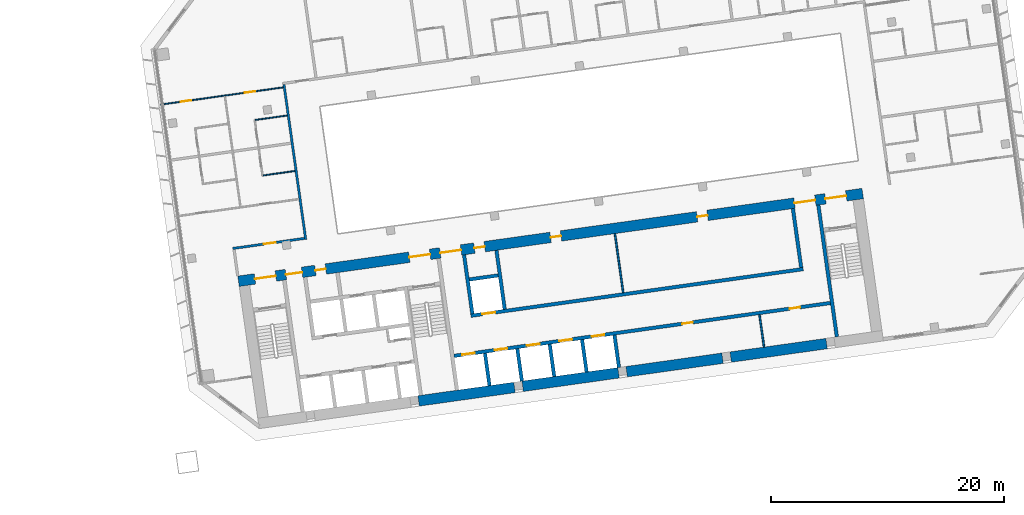
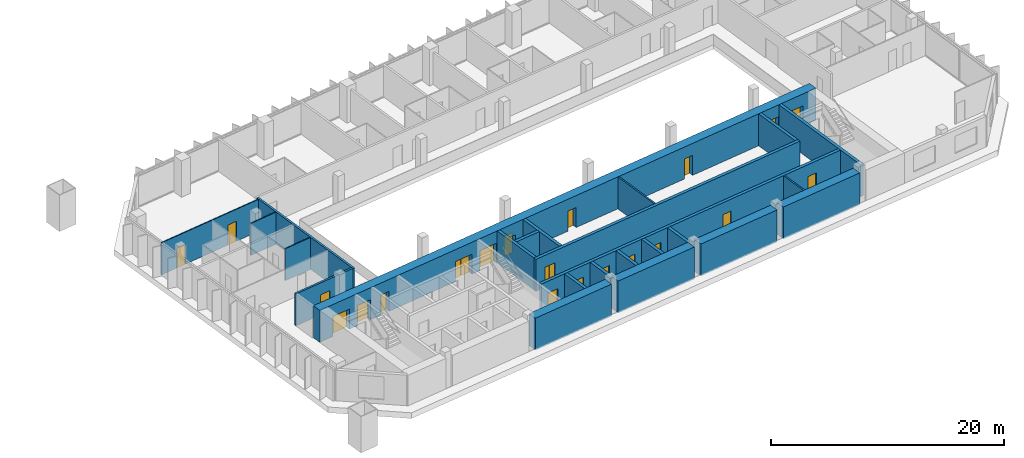
# One storey, part 19 of 24: 24 walls, 21 doors, 21 openings.
"""IFC4 building model written with IfcOpenShell, lengths in metres."""

import ifcopenshell
import ifcopenshell.guid

model = None  # the IFC model being written
_history = None  # IfcOwnerHistory: only IFC2X3 demands one
_inside = {}  # id of a spatial element -> (the spatial element, [elements in it])
_under = {}  # id of a project, library or spatial element -> (it, [spatial elements below it])
_declared = {}  # id of a project -> (the project, [libraries it declares])
_typed = {}  # id of a type object -> (the type object, [elements of that type])
_made_of = {}  # id of a material, layer set ... -> (it, [elements and type objects made of it])


def new_model(schema):
    """Start an empty IFC model of exactly this schema.

    Asked for "IFC4X3", IfcOpenShell would pick the latest addendum, in which some entities
    have other attributes; the version numbers below select the first issue.
    IFC2X3 requires an IfcOwnerHistory on every rooted entity: one is made here for all.
    """
    global model, _history
    if schema == "IFC4X3":
        model = ifcopenshell.file(schema_version=(4, 3, 0, 0))
    else:
        model = ifcopenshell.file(schema=schema)
    _inside.clear()
    _under.clear()
    _declared.clear()
    _typed.clear()
    _made_of.clear()
    _history = None
    if model.schema == "IFC2X3":
        org = make("IfcOrganization", Name="unknown")
        user = make(
            "IfcPersonAndOrganization",
            ThePerson=make("IfcPerson", FamilyName="unknown"),
            TheOrganization=org,
        )
        app = make(
            "IfcApplication",
            ApplicationDeveloper=org,
            Version="unknown",
            ApplicationFullName="unknown",
            ApplicationIdentifier="unknown",
        )
        _history = make(
            "IfcOwnerHistory",
            OwningUser=user,
            OwningApplication=app,
            ChangeAction="ADDED",
            CreationDate=0,
        )
    return model


def make(cls, **values):
    """One entity of the class cls with the attributes given. An attribute that is None is left unset."""
    return model.create_entity(
        cls, **{name: value for name, value in values.items() if value is not None}
    )


def rooted(cls, **values):
    """An entity with a GlobalId (a new one), such as an element, a storey or a relation."""
    return make(cls, GlobalId=ifcopenshell.guid.new(), OwnerHistory=_history, **values)


def si_unit(unit_type, name, prefix=None):
    """IfcSIUnit, for example si_unit("LENGTHUNIT", "METRE", prefix="MILLI")."""
    return make("IfcSIUnit", UnitType=unit_type, Prefix=prefix, Name=name)


def assignment(units):
    """IfcUnitAssignment: the units of a project."""
    return None if units is None else make("IfcUnitAssignment", Units=units)


def point(xyz):
    """IfcCartesianPoint."""
    return None if xyz is None else make("IfcCartesianPoint", Coordinates=xyz)


def direction(xyz):
    """IfcDirection."""
    return None if xyz is None else make("IfcDirection", DirectionRatios=xyz)


def frame(location, z_axis=None, x_axis=None):
    """IfcAxis2Placement3D, a coordinate frame: its origin and axes. An axis left out is left unset."""
    return make(
        "IfcAxis2Placement3D",
        Location=point(location),
        Axis=direction(z_axis),
        RefDirection=direction(x_axis),
    )


def frame_2d(location, x_axis=None):
    """IfcAxis2Placement2D, a coordinate frame in the plane: its origin and x axis."""
    return make(
        "IfcAxis2Placement2D", Location=point(location), RefDirection=direction(x_axis)
    )


def origin():
    """The frame at (0, 0, 0) with its axes left unset."""
    return frame((0.0, 0.0, 0.0))


def place(relative_to, where):
    """IfcLocalPlacement: puts the frame where relative to a parent placement (None: the world)."""
    return make(
        "IfcLocalPlacement", PlacementRelTo=relative_to, RelativePlacement=where
    )


def context(
    kind, dimensions, precision=None, world=None, true_north=None, identifier=None
):
    """IfcGeometricRepresentationContext, for example the 3D "Model" context."""
    return make(
        "IfcGeometricRepresentationContext",
        ContextIdentifier=identifier,
        ContextType=kind,
        CoordinateSpaceDimension=dimensions,
        Precision=precision,
        WorldCoordinateSystem=world,
        TrueNorth=true_north,
    )


def subcontext(parent, identifier, kind, view, scale=None):
    """IfcGeometricRepresentationSubContext, for example "Body" below "Model"."""
    return make(
        "IfcGeometricRepresentationSubContext",
        ContextIdentifier=identifier,
        ContextType=kind,
        ParentContext=parent,
        TargetScale=scale,
        TargetView=view,
    )


def project(units=None, contexts=None):
    """IfcProject with its units and contexts."""
    return rooted(
        "IfcProject",
        Name="project",
        RepresentationContexts=contexts,
        UnitsInContext=assignment(units),
    )


def spatial(cls, under=None, at=None, **own):
    """A site, building, storey or space (cls), placed at a placement, below another one or the project."""
    s = rooted(cls, ObjectPlacement=at, **own)
    if under is not None:
        _under.setdefault(under.id(), (under, []))[1].append(s)
    return s


def profile(cls, at=None, kind="AREA", **sizes):
    """A parametric profile (cls). Its sizes go by their IFC names, for example OverallWidth=200.0."""
    return make(cls, ProfileType=kind, Position=at, **sizes)


def rectangle(**sizes):
    """IfcRectangleProfileDef."""
    return profile("IfcRectangleProfileDef", **sizes)


def extrude(swept, where, along, depth):
    """IfcExtrudedAreaSolid: the profile swept, set in the frame where, extruded along a direction by depth."""
    return make(
        "IfcExtrudedAreaSolid",
        SweptArea=swept,
        Position=where,
        ExtrudedDirection=direction(along),
        Depth=depth,
    )


def shape(context_of_items, identifier, shape_type, items):
    """IfcShapeRepresentation: the items that make up one representation, for example the "Body"."""
    return make(
        "IfcShapeRepresentation",
        ContextOfItems=context_of_items,
        RepresentationIdentifier=identifier,
        RepresentationType=shape_type,
        Items=items,
    )


def material(Name=None, Category=None):
    """IfcMaterial."""
    return make("IfcMaterial", Name=Name, Category=Category)


def layer(
    of_material, thickness, ventilated=None, Name=None, Category=None, Priority=None
):
    """IfcMaterialLayer: one layer of a wall or slab, of a material (None: an air gap)."""
    return make(
        "IfcMaterialLayer",
        Material=of_material,
        LayerThickness=thickness,
        IsVentilated=ventilated,
        Name=Name,
        Category=Category,
        Priority=Priority,
    )


def layer_set(layers, Name=None):
    """IfcMaterialLayerSet."""
    return make("IfcMaterialLayerSet", MaterialLayers=layers, LayerSetName=Name)


def made_of(thing, what):
    """Note that an element or type object is made of a material, layer set ...; save() writes the relation."""
    if what is not None:
        _made_of.setdefault(what.id(), (what, []))[1].append(thing)
    return thing


def type_object(cls, material=None, **own):
    """A type object (cls), such as IfcWallType, which elements share."""
    return made_of(rooted(cls, **own), material)


def element(
    cls,
    number,
    at=None,
    inside=None,
    cuts=None,
    type_object=None,
    material=None,
    context=None,
    identifier="Body",
    shape_type=None,
    held_by="IfcProductDefinitionShape",
    body=None,
    shapes=None,
    **own,
):
    """One element of the class cls, such as IfcWall. Its Tag is "e" and its number.

    at: its placement. inside: the storey or other place that contains it. cuts: it is an
    opening in that element (IfcRelVoidsElement). A single representation is given by context,
    identifier, shape_type and body (its items); several are given by shapes. held_by: the class
    of the entity that holds the representations. save() writes the other relations.
    """
    e = rooted(cls, Tag="e%d" % number, ObjectPlacement=at, **own)
    if body is not None:
        shapes = [shape(context, identifier, shape_type, body)]
    if shapes is not None:
        e.Representation = make(held_by, Representations=shapes)
    if inside is not None:
        _inside.setdefault(inside.id(), (inside, []))[1].append(e)
    if cuts is not None:
        rooted(
            "IfcRelVoidsElement", RelatingBuildingElement=cuts, RelatedOpeningElement=e
        )
    if type_object is not None:
        _typed.setdefault(type_object.id(), (type_object, []))[1].append(e)
    return made_of(e, material)


def fill(opening, filler):
    """IfcRelFillsElement: the door or window that sits in an opening."""
    return rooted(
        "IfcRelFillsElement",
        RelatingOpeningElement=opening,
        RelatedBuildingElement=filler,
    )


def aggregate(whole, parts):
    """IfcRelAggregates: a whole, such as a stair, and the parts it consists of."""
    return rooted("IfcRelAggregates", RelatingObject=whole, RelatedObjects=parts)


def save(model, path):
    """Write the relations noted so far, then the file.

    IfcRelAggregates (storeys below a building ...), IfcRelContainedInSpatialStructure (elements
    in a storey), IfcRelDefinesByType, IfcRelAssociatesMaterial and IfcRelDeclares: one each for
    every whole, place, type object, material and project.
    """
    for whole, parts in _under.values():
        aggregate(whole, parts)
    for where, things in _inside.values():
        rooted(
            "IfcRelContainedInSpatialStructure",
            RelatedElements=things,
            RelatingStructure=where,
        )
    for kind, things in _typed.values():
        rooted("IfcRelDefinesByType", RelatedObjects=things, RelatingType=kind)
    for what, things in _made_of.values():
        rooted("IfcRelAssociatesMaterial", RelatedObjects=things, RelatingMaterial=what)
    for by, libraries in _declared.values():
        rooted("IfcRelDeclares", RelatingContext=by, RelatedDefinitions=libraries)
    model.write(path)


model = new_model("IFC4")

# Units and contexts
model_context = context("Model", 3, precision=1e-05, world=origin(), true_north=direction((0.0, 1.0)))
body_context = subcontext(model_context, "Body", "Model", "MODEL_VIEW")
ifc_project = project(units=[si_unit("LENGTHUNIT", "METRE"), si_unit("AREAUNIT", "SQUARE_METRE"), si_unit("VOLUMEUNIT", "CUBIC_METRE"), si_unit("PLANEANGLEUNIT", "RADIAN"), si_unit("MASSUNIT", "GRAM", prefix="KILO")], contexts=[model_context])

# Site, building, storey
site_placement = place(None, origin())
site = spatial("IfcSite", under=ifc_project, at=site_placement, CompositionType="ELEMENT")
building_placement = place(site_placement, origin())
building = spatial("IfcBuilding", under=site, at=building_placement, Name="Mirante Cascada Hotel Towers", CompositionType="ELEMENT")
storey_placement = place(building_placement, frame((0.0, 0.0, 50.9)))
storey = spatial("IfcBuildingStorey", under=building, at=storey_placement, Name="L09", CompositionType="ELEMENT", Elevation=50.9)

# Wall, opening, door
ifc_material_1 = material(Name="Fire-rated plasterboard on metal studs")
ifc_layer_1 = layer(ifc_material_1, 0.2)
ifc_layer_set_1 = layer_set([ifc_layer_1], Name="Compartment wall 200 EI 120")
wall_type_1 = type_object("IfcWallType", Name="Compartment wall 200 EI 120", PredefinedType="PARTITIONING", material=ifc_layer_set_1)
wall_1_placement = place(storey_placement, frame((34.8304, -4.7545, 0.0), z_axis=(0.0, 0.0, 1.0), x_axis=(0.9902695, 0.1391629, 0.0)))
wall_1 = element("IfcWall", 1, at=wall_1_placement, inside=storey, type_object=wall_type_1, Name="Wall 2-L09-04", PredefinedType="PARTITIONING", context=body_context, shape_type="SweptSolid", body=[
    extrude(rectangle(XDim=6.1999, YDim=0.2, at=frame_2d((3.1, 0.0))), origin(), (0.0, 0.0, 1.0), 3.35),
])
opening_1_placement = place(wall_1_placement, frame((2.7, 0.0, 0.0)))
opening_1 = element("IfcOpeningElement", 2, at=opening_1_placement, cuts=wall_1, Name="Opening D2-L09-05", PredefinedType="OPENING", context=body_context, shape_type="SweptSolid", body=[
    extrude(rectangle(XDim=1.0, YDim=2.1, at=frame_2d((0.5, 1.05))), frame((0.0, 0.1, 0.0), z_axis=(0.0, -1.0, 0.0), x_axis=(1.0, 0.0, 0.0)), (0.0, 0.0, 1.0), 0.2),
])
ifc_material_2 = material(Name="Fire-rated timber door leaf", Category="wood")
door_type_1 = type_object("IfcDoorType", Name="Entrance door DG1 1000x2100 EI 60", OperationType="SINGLE_SWING_LEFT", PredefinedType="DOOR", material=ifc_material_2)
door_1_placement = place(opening_1_placement, frame((1.0, 0.0, 0.0), z_axis=(0.0, 0.0, 1.0), x_axis=(-1.0, 0.0, 0.0)))
door_1 = element("IfcDoor", 3, at=door_1_placement, inside=storey, type_object=door_type_1, Name="Door D2-L09-05", OperationType="SINGLE_SWING_RIGHT", OverallHeight=2.1, OverallWidth=1.0, PredefinedType="DOOR", context=body_context, shape_type="SweptSolid", body=[
    extrude(rectangle(XDim=1.0, YDim=2.1, at=frame_2d((0.5, 1.05))), frame((0.0, 0.025, 0.0), z_axis=(0.0, -1.0, 0.0), x_axis=(1.0, 0.0, 0.0)), (0.0, 0.0, 1.0), 0.05),
])
fill(opening_1, door_1)

# Walls
wall_2_placement = place(storey_placement, frame((41.083, -3.9768, 0.0), z_axis=(0.0, 0.0, 1.0), x_axis=(-0.1391716, 0.9902683, 0.0)))
element("IfcWall", 4, at=wall_2_placement, inside=storey, type_object=wall_type_1, Name="Wall 2-L09-32", PredefinedType="PARTITIONING", context=body_context, shape_type="SweptSolid", body=[
    extrude(rectangle(XDim=13.4, YDim=0.2, at=frame_2d((6.7, 0.0))), origin(), (0.0, 0.0, 1.0), 3.35),
])
ifc_material_3 = material(Name="Masonry block", Category="masonry")
ifc_layer_2 = layer(ifc_material_3, 0.15)
ifc_layer_set_2 = layer_set([ifc_layer_2], Name="Core room partition 150 block EI 30")
wall_type_2 = type_object("IfcWallType", Name="Core room partition 150 block EI 30", PredefinedType="PARTITIONING", material=ifc_layer_set_2)
wall_3_placement = place(storey_placement, frame((80.349, -13.2018, 0.0), z_axis=(0.0, 0.0, 1.0), x_axis=(-0.139176, 0.9902677, 0.0)))
element("IfcWall", 5, at=wall_3_placement, inside=storey, type_object=wall_type_2, Name="Core wall partition T2 L09 4", PredefinedType="PARTITIONING", context=body_context, shape_type="SweptSolid", body=[
    extrude(rectangle(XDim=2.8001, YDim=0.15, at=frame_2d((1.4, 0.0))), origin(), (0.0, 0.0, 1.0), 3.35),
])
wall_4_placement = place(storey_placement, frame((68.2822, -8.5358, 0.0), z_axis=(0.0, 0.0, 1.0), x_axis=(-0.1391755, 0.9902677, 0.0)))
element("IfcWall", 6, at=wall_4_placement, inside=storey, type_object=wall_type_2, Name="Core wall partition T2 L09 5", PredefinedType="PARTITIONING", context=body_context, shape_type="SweptSolid", body=[
    extrude(rectangle(XDim=5.1, YDim=0.15, at=frame_2d((2.55, 0.0))), origin(), (0.0, 0.0, 1.0), 3.35),
])
ifc_material_4 = material(Name="Plasterboard on metal studs")
ifc_layer_3 = layer(ifc_material_4, 0.1)
ifc_layer_set_3 = layer_set([ifc_layer_3], Name="Partition 100")
wall_type_3 = type_object("IfcWallType", Name="Partition 100", PredefinedType="PARTITIONING", material=ifc_layer_set_3)
wall_5_placement = place(storey_placement, frame((37.435, 1.5021, 0.0), z_axis=(0.0, 0.0, 1.0), x_axis=(0.9902641, 0.1392013, 0.0)))
element("IfcWall", 7, at=wall_5_placement, inside=storey, type_object=wall_type_3, Name="Wall 2-L09-10", PredefinedType="PARTITIONING", context=body_context, shape_type="SweptSolid", body=[
    extrude(rectangle(XDim=2.75, YDim=0.1, at=frame_2d((1.375, 0.0))), origin(), (0.0, 0.0, 1.0), 3.35),
])
wall_6_placement = place(storey_placement, frame((36.7669, 6.2554, 0.0), z_axis=(0.0, 0.0, 1.0), x_axis=(0.9902698, 0.1391607, 0.0)))
element("IfcWall", 8, at=wall_6_placement, inside=storey, type_object=wall_type_3, Name="Wall 2-L09-14", PredefinedType="PARTITIONING", context=body_context, shape_type="SweptSolid", body=[
    extrude(rectangle(XDim=2.7501, YDim=0.1, at=frame_2d((1.3751, 0.0))), origin(), (0.0, 0.0, 1.0), 3.35),
])

# Wall, openings, doors
wall_7_placement = place(storey_placement, frame((39.1515, 9.0479, 0.0), z_axis=(0.0, 0.0, 1.0), x_axis=(-0.9902671, -0.1391797, 0.0)))
wall_7 = element("IfcWall", 9, at=wall_7_placement, inside=storey, type_object=wall_type_3, Name="Wall 2-L09-17", PredefinedType="PARTITIONING", context=body_context, shape_type="SweptSolid", body=[
    extrude(rectangle(XDim=10.6, YDim=0.1, at=frame_2d((5.3, 0.0))), origin(), (0.0, 0.0, 1.0), 3.35),
])
opening_2_placement = place(wall_7_placement, frame((7.975, 0.0, 0.0)))
opening_2 = element("IfcOpeningElement", 10, at=opening_2_placement, cuts=wall_7, Name="Opening D2-L09-08", PredefinedType="OPENING", context=body_context, shape_type="SweptSolid", body=[
    extrude(rectangle(XDim=0.9, YDim=2.1, at=frame_2d((0.45, 1.05))), frame((0.0, 0.05, 0.0), z_axis=(0.0, -1.0, 0.0), x_axis=(1.0, 0.0, 0.0)), (0.0, 0.0, 1.0), 0.1),
])
opening_3_placement = place(wall_7_placement, frame((2.425, 0.0, 0.0)))
opening_3 = element("IfcOpeningElement", 11, at=opening_3_placement, cuts=wall_7, Name="Opening D2-L09-09", PredefinedType="OPENING", context=body_context, shape_type="SweptSolid", body=[
    extrude(rectangle(XDim=0.9, YDim=2.1, at=frame_2d((0.45, 1.05))), frame((0.0, 0.05, 0.0), z_axis=(0.0, -1.0, 0.0), x_axis=(1.0, 0.0, 0.0)), (0.0, 0.0, 1.0), 0.1),
])
ifc_material_5 = material(Name="Timber door leaf", Category="wood")
door_type_2 = type_object("IfcDoorType", Name="Room door DG3 900x2100", OperationType="SINGLE_SWING_LEFT", PredefinedType="DOOR", material=ifc_material_5)
door_2_placement = place(opening_2_placement, frame((0.9, 0.0, 0.0), z_axis=(0.0, 0.0, 1.0), x_axis=(-1.0, 0.0, 0.0)))
door_2 = element("IfcDoor", 12, at=door_2_placement, inside=storey, type_object=door_type_2, Name="Door D2-L09-08", OperationType="SINGLE_SWING_RIGHT", OverallHeight=2.1, OverallWidth=0.9, PredefinedType="DOOR", context=body_context, shape_type="SweptSolid", body=[
    extrude(rectangle(XDim=0.9, YDim=2.1, at=frame_2d((0.45, 1.05))), frame((0.0, 0.025, 0.0), z_axis=(0.0, -1.0, 0.0), x_axis=(1.0, 0.0, 0.0)), (0.0, 0.0, 1.0), 0.05),
])
fill(opening_2, door_2)
door_3_placement = place(opening_3_placement, frame((0.9, 0.0, 0.0), z_axis=(0.0, 0.0, 1.0), x_axis=(-1.0, 0.0, 0.0)))
door_3 = element("IfcDoor", 13, at=door_3_placement, inside=storey, type_object=door_type_2, Name="Door D2-L09-09", OperationType="SINGLE_SWING_RIGHT", OverallHeight=2.1, OverallWidth=0.9, PredefinedType="DOOR", context=body_context, shape_type="SweptSolid", body=[
    extrude(rectangle(XDim=0.9, YDim=2.1, at=frame_2d((0.45, 1.05))), frame((0.0, 0.025, 0.0), z_axis=(0.0, -1.0, 0.0), x_axis=(1.0, 0.0, 0.0)), (0.0, 0.0, 1.0), 0.05),
])
fill(opening_3, door_3)

# Wall
ifc_material_6 = material(Name="Concrete C50/60", Category="concrete")
ifc_layer_4 = layer(ifc_material_6, 0.3)
ifc_layer_set_4 = layer_set([ifc_layer_4], Name="RC core wall 300 C50/60")
wall_type_4 = type_object("IfcWallType", Name="RC core wall 300 C50/60", PredefinedType="SHEAR", material=ifc_layer_set_4)
wall_8_placement = place(storey_placement, frame((86.5877, -12.325, 0.0), z_axis=(0.0, 0.0, 1.0), x_axis=(-0.1391749, 0.9902678, 0.0)))
element("IfcWall", 14, at=wall_8_placement, inside=storey, type_object=wall_type_4, Name="Core wall T2:L09:8", PredefinedType="SHEAR", context=body_context, shape_type="SweptSolid", body=[
    extrude(rectangle(XDim=11.4, YDim=0.3, at=frame_2d((5.7, 0.0))), origin(), (0.0, 0.0, 1.0), 3.35),
])

# Wall, openings, doors
wall_9_placement = place(storey_placement, frame((53.7953, -13.9547, 0.0), z_axis=(0.0, 0.0, 1.0), x_axis=(0.990268, 0.1391733, 0.0)))
wall_9 = element("IfcWall", 15, at=wall_9_placement, inside=storey, type_object=wall_type_4, Name="Core wall T2:L09:24", PredefinedType="SHEAR", context=body_context, shape_type="SweptSolid", body=[
    extrude(rectangle(XDim=32.5501, YDim=0.3, at=frame_2d((16.275, 0.0))), origin(), (0.0, 0.0, 1.0), 3.35),
])
opening_4_placement = place(wall_9_placement, frame((0.7, 0.0, 0.0)))
opening_4 = element("IfcOpeningElement", 16, at=opening_4_placement, cuts=wall_9, Name="Opening LD", PredefinedType="OPENING", context=body_context, shape_type="SweptSolid", body=[
    extrude(rectangle(XDim=1.1, YDim=2.1, at=frame_2d((0.55, 1.05))), frame((0.0, 0.15, 0.0), z_axis=(0.0, -1.0, 0.0), x_axis=(1.0, 0.0, 0.0)), (0.0, 0.0, 1.0), 0.3),
])
opening_5_placement = place(wall_9_placement, frame((3.5, 0.0, 0.0)))
opening_5 = element("IfcOpeningElement", 17, at=opening_5_placement, cuts=wall_9, Name="Opening LD", PredefinedType="OPENING", context=body_context, shape_type="SweptSolid", body=[
    extrude(rectangle(XDim=1.1, YDim=2.1, at=frame_2d((0.55, 1.05))), frame((0.0, 0.15, 0.0), z_axis=(0.0, -1.0, 0.0), x_axis=(1.0, 0.0, 0.0)), (0.0, 0.0, 1.0), 0.3),
])
opening_6_placement = place(wall_9_placement, frame((6.3, 0.0, 0.0)))
opening_6 = element("IfcOpeningElement", 18, at=opening_6_placement, cuts=wall_9, Name="Opening LD", PredefinedType="OPENING", context=body_context, shape_type="SweptSolid", body=[
    extrude(rectangle(XDim=1.1, YDim=2.1, at=frame_2d((0.55, 1.05))), frame((0.0, 0.15, 0.0), z_axis=(0.0, -1.0, 0.0), x_axis=(1.0, 0.0, 0.0)), (0.0, 0.0, 1.0), 0.3),
])
opening_7_placement = place(wall_9_placement, frame((9.1, 0.0, 0.0)))
opening_7 = element("IfcOpeningElement", 19, at=opening_7_placement, cuts=wall_9, Name="Opening LD", PredefinedType="OPENING", context=body_context, shape_type="SweptSolid", body=[
    extrude(rectangle(XDim=1.1, YDim=2.1, at=frame_2d((0.55, 1.05))), frame((0.0, 0.15, 0.0), z_axis=(0.0, -1.0, 0.0), x_axis=(1.0, 0.0, 0.0)), (0.0, 0.0, 1.0), 0.3),
])
opening_8_placement = place(wall_9_placement, frame((11.9, 0.0, 0.0)))
opening_8 = element("IfcOpeningElement", 20, at=opening_8_placement, cuts=wall_9, Name="Opening LD", PredefinedType="OPENING", context=body_context, shape_type="SweptSolid", body=[
    extrude(rectangle(XDim=1.1, YDim=2.1, at=frame_2d((0.55, 1.05))), frame((0.0, 0.15, 0.0), z_axis=(0.0, -1.0, 0.0), x_axis=(1.0, 0.0, 0.0)), (0.0, 0.0, 1.0), 0.3),
])
opening_9_placement = place(wall_9_placement, frame((19.75, 0.0, 0.0)))
opening_9 = element("IfcOpeningElement", 21, at=opening_9_placement, cuts=wall_9, Name="Opening D2-09-C25", PredefinedType="OPENING", context=body_context, shape_type="SweptSolid", body=[
    extrude(rectangle(XDim=0.9, YDim=2.1, at=frame_2d((0.45, 1.05))), frame((0.0, 0.15, 0.0), z_axis=(0.0, -1.0, 0.0), x_axis=(1.0, 0.0, 0.0)), (0.0, 0.0, 1.0), 0.3),
])
opening_10_placement = place(wall_9_placement, frame((29.025, 0.0, 0.0)))
opening_10 = element("IfcOpeningElement", 22, at=opening_10_placement, cuts=wall_9, Name="Opening D2-09-C26", PredefinedType="OPENING", context=body_context, shape_type="SweptSolid", body=[
    extrude(rectangle(XDim=0.9, YDim=2.1, at=frame_2d((0.45, 1.05))), frame((0.0, 0.15, 0.0), z_axis=(0.0, -1.0, 0.0), x_axis=(1.0, 0.0, 0.0)), (0.0, 0.0, 1.0), 0.3),
])
ifc_material_7 = material(Name="Hollow metal fire door leaf")
door_type_3 = type_object("IfcDoorType", Name="Fire door 900x2100 FD60", OperationType="NOTDEFINED", PredefinedType="DOOR", material=ifc_material_7)
door_4_placement = place(opening_9_placement, frame((0.9, 0.0, 0.0), z_axis=(0.0, 0.0, 1.0), x_axis=(-1.0, 0.0, 0.0)))
door_4 = element("IfcDoor", 23, at=door_4_placement, inside=storey, type_object=door_type_3, Name="Room door T2 L09 25", OperationType="SINGLE_SWING_RIGHT", OverallHeight=2.1, OverallWidth=0.9, PredefinedType="DOOR", context=body_context, shape_type="SweptSolid", body=[
    extrude(rectangle(XDim=0.9, YDim=2.1, at=frame_2d((0.45, 1.05))), frame((0.0, 0.025, 0.0), z_axis=(0.0, -1.0, 0.0), x_axis=(1.0, 0.0, 0.0)), (0.0, 0.0, 1.0), 0.05),
])
fill(opening_9, door_4)
door_5_placement = place(opening_10_placement, frame((0.9, 0.0, 0.0), z_axis=(0.0, 0.0, 1.0), x_axis=(-1.0, 0.0, 0.0)))
door_5 = element("IfcDoor", 24, at=door_5_placement, inside=storey, type_object=door_type_3, Name="Room door T2 L09 26", OperationType="SINGLE_SWING_RIGHT", OverallHeight=2.1, OverallWidth=0.9, PredefinedType="DOOR", context=body_context, shape_type="SweptSolid", body=[
    extrude(rectangle(XDim=0.9, YDim=2.1, at=frame_2d((0.45, 1.05))), frame((0.0, 0.025, 0.0), z_axis=(0.0, -1.0, 0.0), x_axis=(1.0, 0.0, 0.0)), (0.0, 0.0, 1.0), 0.05),
])
fill(opening_10, door_5)
ifc_material_8 = material(Name="Stainless steel", Category="steel")
door_type_4 = type_object("IfcDoorType", Name="Lift landing door 1100x2100 EI 120", OperationType="DOUBLE_DOOR_SLIDING", PredefinedType="DOOR", material=ifc_material_8)
door_6_placement = place(opening_4_placement, origin())
door_6 = element("IfcDoor", 25, at=door_6_placement, inside=storey, type_object=door_type_4, Name="Lift landing door LR2-1 L09", OperationType="DOUBLE_DOOR_SLIDING", OverallHeight=2.1, OverallWidth=1.1, PredefinedType="DOOR", context=body_context, shape_type="SweptSolid", body=[
    extrude(rectangle(XDim=0.545, YDim=2.1, at=frame_2d((0.2725, 1.05))), frame((0.0, 0.025, 0.0), z_axis=(0.0, -1.0, 0.0), x_axis=(1.0, 0.0, 0.0)), (0.0, 0.0, 1.0), 0.05),
    extrude(rectangle(XDim=0.545, YDim=2.1, at=frame_2d((0.8275, 1.05))), frame((0.0, 0.025, 0.0), z_axis=(0.0, -1.0, 0.0), x_axis=(1.0, 0.0, 0.0)), (0.0, 0.0, 1.0), 0.05),
])
fill(opening_4, door_6)
door_7_placement = place(opening_5_placement, origin())
door_7 = element("IfcDoor", 26, at=door_7_placement, inside=storey, type_object=door_type_4, Name="Lift landing door LR2-2 L09", OperationType="DOUBLE_DOOR_SLIDING", OverallHeight=2.1, OverallWidth=1.1, PredefinedType="DOOR", context=body_context, shape_type="SweptSolid", body=[
    extrude(rectangle(XDim=0.545, YDim=2.1, at=frame_2d((0.2725, 1.05))), frame((0.0, 0.025, 0.0), z_axis=(0.0, -1.0, 0.0), x_axis=(1.0, 0.0, 0.0)), (0.0, 0.0, 1.0), 0.05),
    extrude(rectangle(XDim=0.545, YDim=2.1, at=frame_2d((0.8275, 1.05))), frame((0.0, 0.025, 0.0), z_axis=(0.0, -1.0, 0.0), x_axis=(1.0, 0.0, 0.0)), (0.0, 0.0, 1.0), 0.05),
])
fill(opening_5, door_7)
door_8_placement = place(opening_6_placement, origin())
door_8 = element("IfcDoor", 27, at=door_8_placement, inside=storey, type_object=door_type_4, Name="Lift landing door SV2-1 L09", OperationType="DOUBLE_DOOR_SLIDING", OverallHeight=2.1, OverallWidth=1.1, PredefinedType="DOOR", context=body_context, shape_type="SweptSolid", body=[
    extrude(rectangle(XDim=0.545, YDim=2.1, at=frame_2d((0.2725, 1.05))), frame((0.0, 0.025, 0.0), z_axis=(0.0, -1.0, 0.0), x_axis=(1.0, 0.0, 0.0)), (0.0, 0.0, 1.0), 0.05),
    extrude(rectangle(XDim=0.545, YDim=2.1, at=frame_2d((0.8275, 1.05))), frame((0.0, 0.025, 0.0), z_axis=(0.0, -1.0, 0.0), x_axis=(1.0, 0.0, 0.0)), (0.0, 0.0, 1.0), 0.05),
])
fill(opening_6, door_8)
door_9_placement = place(opening_7_placement, origin())
door_9 = element("IfcDoor", 28, at=door_9_placement, inside=storey, type_object=door_type_4, Name="Lift landing door SV2-2 L09", OperationType="DOUBLE_DOOR_SLIDING", OverallHeight=2.1, OverallWidth=1.1, PredefinedType="DOOR", context=body_context, shape_type="SweptSolid", body=[
    extrude(rectangle(XDim=0.545, YDim=2.1, at=frame_2d((0.2725, 1.05))), frame((0.0, 0.025, 0.0), z_axis=(0.0, -1.0, 0.0), x_axis=(1.0, 0.0, 0.0)), (0.0, 0.0, 1.0), 0.05),
    extrude(rectangle(XDim=0.545, YDim=2.1, at=frame_2d((0.8275, 1.05))), frame((0.0, 0.025, 0.0), z_axis=(0.0, -1.0, 0.0), x_axis=(1.0, 0.0, 0.0)), (0.0, 0.0, 1.0), 0.05),
])
fill(opening_7, door_9)
door_10_placement = place(opening_8_placement, origin())
door_10 = element("IfcDoor", 29, at=door_10_placement, inside=storey, type_object=door_type_4, Name="Lift landing door SV2-3 L09", OperationType="DOUBLE_DOOR_SLIDING", OverallHeight=2.1, OverallWidth=1.1, PredefinedType="DOOR", context=body_context, shape_type="SweptSolid", body=[
    extrude(rectangle(XDim=0.545, YDim=2.1, at=frame_2d((0.2725, 1.05))), frame((0.0, 0.025, 0.0), z_axis=(0.0, -1.0, 0.0), x_axis=(1.0, 0.0, 0.0)), (0.0, 0.0, 1.0), 0.05),
    extrude(rectangle(XDim=0.545, YDim=2.1, at=frame_2d((0.8275, 1.05))), frame((0.0, 0.025, 0.0), z_axis=(0.0, -1.0, 0.0), x_axis=(1.0, 0.0, 0.0)), (0.0, 0.0, 1.0), 0.05),
])
fill(opening_8, door_10)

# Walls
for number, where, z_axis, x_axis, name in (
    (30, (56.8301, -16.5072, 0.0), (0.0, 0.0, 1.0), (-0.139176, 0.9902677, 0.0), "Core wall T2:L09:25"),
    (31, (59.6029, -16.1175, 0.0), (0.0, 0.0, 1.0), (-0.139176, 0.9902677, 0.0), "Core wall T2:L09:26"),
    (32, (62.3756, -15.7278, 0.0), (0.0, 0.0, 1.0), (-0.139176, 0.9902677, 0.0), "Core wall T2:L09:27"),
    (33, (65.1484, -15.3381, 0.0), (0.0, 0.0, 1.0), (-0.139176, 0.9902677, 0.0), "Core wall T2:L09:28"),
):
    element("IfcWall", number, at=place(storey_placement, frame(where, z_axis=z_axis, x_axis=x_axis)), inside=storey, type_object=wall_type_4, Name=name, PredefinedType="SHEAR", context=body_context, shape_type="SweptSolid", body=[
        extrude(rectangle(XDim=2.8001, YDim=0.3, at=frame_2d((1.4, 0.0))), origin(), (0.0, 0.0, 1.0), 3.35),
    ])
wall_10_placement = place(storey_placement, frame((67.9211, -14.9484, 0.0), z_axis=(0.0, 0.0, 1.0), x_axis=(-0.139181, 0.990267, 0.0)))
element("IfcWall", 34, at=wall_10_placement, inside=storey, type_object=wall_type_4, Name="Core wall T2:L09:29", PredefinedType="SHEAR", context=body_context, shape_type="SweptSolid", body=[
    extrude(rectangle(XDim=2.8, YDim=0.3, at=frame_2d((1.4, 0.0))), origin(), (0.0, 0.0, 1.0), 3.35),
])

# Wall, opening, door
wall_11_placement = place(storey_placement, frame((55.2315, -10.5214, 0.0), z_axis=(0.0, 0.0, 1.0), x_axis=(0.9902682, 0.1391722, 0.0)))
wall_11 = element("IfcWall", 35, at=wall_11_placement, inside=storey, type_object=wall_type_4, Name="Core wall T2:L09:31", PredefinedType="SHEAR", context=body_context, shape_type="SweptSolid", body=[
    extrude(rectangle(XDim=28.75, YDim=0.3, at=frame_2d((14.375, 0.0))), origin(), (0.0, 0.0, 1.0), 3.35),
])
opening_11_placement = place(wall_11_placement, frame((1.0, 0.0, 0.0)))
opening_11 = element("IfcOpeningElement", 36, at=opening_11_placement, cuts=wall_11, Name="Opening LD", PredefinedType="OPENING", context=body_context, shape_type="SweptSolid", body=[
    extrude(rectangle(XDim=1.1, YDim=2.1, at=frame_2d((0.55, 1.05))), frame((0.0, 0.15, 0.0), z_axis=(0.0, -1.0, 0.0), x_axis=(1.0, 0.0, 0.0)), (0.0, 0.0, 1.0), 0.3),
])
door_11_placement = place(opening_11_placement, origin())
door_11 = element("IfcDoor", 37, at=door_11_placement, inside=storey, type_object=door_type_4, Name="Lift landing door LR2-3 L09", OperationType="DOUBLE_DOOR_SLIDING", OverallHeight=2.1, OverallWidth=1.1, PredefinedType="DOOR", context=body_context, shape_type="SweptSolid", body=[
    extrude(rectangle(XDim=0.545, YDim=2.1, at=frame_2d((0.2725, 1.05))), frame((0.0, 0.025, 0.0), z_axis=(0.0, -1.0, 0.0), x_axis=(1.0, 0.0, 0.0)), (0.0, 0.0, 1.0), 0.05),
    extrude(rectangle(XDim=0.545, YDim=2.1, at=frame_2d((0.8275, 1.05))), frame((0.0, 0.025, 0.0), z_axis=(0.0, -1.0, 0.0), x_axis=(1.0, 0.0, 0.0)), (0.0, 0.0, 1.0), 0.05),
])
fill(opening_11, door_11)

# Walls
for number, where, z_axis, x_axis, name in (
    (38, (55.3592, -10.352, 0.0), (0.0, 0.0, 1.0), (-0.1391755, 0.9902677, 0.0), "Core wall T2:L09:32"),
    (39, (83.5323, -6.3925, 0.0), (0.0, 0.0, 1.0), (-0.1391755, 0.9902677, 0.0), "Core wall T2:L09:33"),
    (40, (58.1319, -9.9623, 0.0), (0.0, 0.0, 1.0), (-0.1391755, 0.9902677, 0.0), "Core wall T2:L09:34"),
):
    element("IfcWall", number, at=place(storey_placement, frame(where, z_axis=z_axis, x_axis=x_axis)), inside=storey, type_object=wall_type_4, Name=name, PredefinedType="SHEAR", context=body_context, shape_type="SweptSolid", body=[
        extrude(rectangle(XDim=5.1, YDim=0.3, at=frame_2d((2.55, 0.0))), origin(), (0.0, 0.0, 1.0), 3.35),
    ])
wall_12_placement = place(storey_placement, frame((55.0971, -7.4098, 0.0), z_axis=(0.0, 0.0, 1.0), x_axis=(0.9902701, 0.1391586, 0.0)))
element("IfcWall", 41, at=wall_12_placement, inside=storey, type_object=wall_type_4, Name="Core wall T2:L09:35", PredefinedType="SHEAR", context=body_context, shape_type="SweptSolid", body=[
    extrude(rectangle(XDim=2.5, YDim=0.3, at=frame_2d((1.25, 0.0))), origin(), (0.0, 0.0, 1.0), 3.35),
])
ifc_material_9 = material(Name="Concrete C50/60", Category="concrete")
ifc_layer_5 = layer(ifc_material_9, 0.9)
ifc_layer_set_5 = layer_set([ifc_layer_5], Name="RC core wall 900 C50/60")
wall_type_5 = type_object("IfcWallType", Name="RC core wall 900 C50/60", PredefinedType="SHEAR", material=ifc_layer_set_5)
for number, where, z_axis, x_axis, name in (
    (42, (50.7531, -17.8156, 0.0), (0.0, 0.0, 1.0), (0.9902686, 0.1391692, 0.0), "Core wall T2:L09:1.3"),
    (43, (59.6655, -16.5631, 0.0), (0.0, 0.0, 1.0), (0.9902686, 0.1391692, 0.0), "Core wall T2:L09:1.4"),
    (44, (68.5779, -15.3105, 0.0), (0.0, 0.0, 1.0), (0.9902686, 0.1391692, 0.0), "Core wall T2:L09:1.5"),
    (45, (77.4903, -14.058, 0.0), (0.0, 0.0, 1.0), (0.990267, 0.139181, 0.0), "Core wall T2:L09:1.6"),
):
    element("IfcWall", number, at=place(storey_placement, frame(where, z_axis=z_axis, x_axis=x_axis)), inside=storey, type_object=wall_type_5, Name=name, PredefinedType="SHEAR", context=body_context, shape_type="SweptSolid", body=[
        extrude(rectangle(XDim=8.3, YDim=0.9, at=frame_2d((4.15, 0.0))), origin(), (0.0, 0.0, 1.0), 3.35),
    ])

# Wall, openings, doors
wall_13_placement = place(storey_placement, frame((35.326, -7.5629, 0.0), z_axis=(0.0, 0.0, 1.0), x_axis=(0.9902679, 0.139174, 0.0)))
wall_13 = element("IfcWall", 46, at=wall_13_placement, inside=storey, type_object=wall_type_5, Name="Core wall T2:L09:2", PredefinedType="SHEAR", context=body_context, shape_type="SweptSolid", body=[
    extrude(rectangle(XDim=54.0, YDim=0.9, at=frame_2d((27.0, 0.0))), origin(), (0.0, 0.0, 1.0), 3.35),
])
opening_12_placement = place(wall_13_placement, frame((1.425, 0.0, 0.0)))
opening_12 = element("IfcOpeningElement", 47, at=opening_12_placement, cuts=wall_13, Name="Opening D2-09-C14", PredefinedType="OPENING", context=body_context, shape_type="SweptSolid", body=[
    extrude(rectangle(XDim=1.8, YDim=2.1, at=frame_2d((0.9, 1.05))), frame((0.0, 0.45, 0.0), z_axis=(0.0, -1.0, 0.0), x_axis=(1.0, 0.0, 0.0)), (0.0, 0.0, 1.0), 0.9),
])
opening_13_placement = place(wall_13_placement, frame((14.775, 0.0, 0.0)))
opening_13 = element("IfcOpeningElement", 48, at=opening_13_placement, cuts=wall_13, Name="Opening D2-09-C16", PredefinedType="OPENING", context=body_context, shape_type="SweptSolid", body=[
    extrude(rectangle(XDim=1.8, YDim=2.1, at=frame_2d((0.9, 1.05))), frame((0.0, 0.45, 0.0), z_axis=(0.0, -1.0, 0.0), x_axis=(1.0, 0.0, 0.0)), (0.0, 0.0, 1.0), 0.9),
])
opening_14_placement = place(wall_13_placement, frame((50.775, 0.0, 0.0)))
opening_14 = element("IfcOpeningElement", 49, at=opening_14_placement, cuts=wall_13, Name="Opening D2-09-C18", PredefinedType="OPENING", context=body_context, shape_type="SweptSolid", body=[
    extrude(rectangle(XDim=1.8, YDim=2.1, at=frame_2d((0.9, 1.05))), frame((0.0, 0.45, 0.0), z_axis=(0.0, -1.0, 0.0), x_axis=(1.0, 0.0, 0.0)), (0.0, 0.0, 1.0), 0.9),
])
opening_15_placement = place(wall_13_placement, frame((4.1, 0.0, 0.0)))
opening_15 = element("IfcOpeningElement", 50, at=opening_15_placement, cuts=wall_13, Name="Opening D2-09-C19", PredefinedType="OPENING", context=body_context, shape_type="SweptSolid", body=[
    extrude(rectangle(XDim=1.4, YDim=2.1, at=frame_2d((0.7, 1.05))), frame((0.0, 0.45, 0.0), z_axis=(0.0, -1.0, 0.0), x_axis=(1.0, 0.0, 0.0)), (0.0, 0.0, 1.0), 0.9),
])
opening_16_placement = place(wall_13_placement, frame((17.45, 0.0, 0.0)))
opening_16 = element("IfcOpeningElement", 51, at=opening_16_placement, cuts=wall_13, Name="Opening D2-09-C20", PredefinedType="OPENING", context=body_context, shape_type="SweptSolid", body=[
    extrude(rectangle(XDim=1.8, YDim=2.1, at=frame_2d((0.9, 1.05))), frame((0.0, 0.45, 0.0), z_axis=(0.0, -1.0, 0.0), x_axis=(1.0, 0.0, 0.0)), (0.0, 0.0, 1.0), 0.9),
])
opening_17_placement = place(wall_13_placement, frame((48.1, 0.0, 0.0)))
opening_17 = element("IfcOpeningElement", 52, at=opening_17_placement, cuts=wall_13, Name="Opening D2-09-C21", PredefinedType="OPENING", context=body_context, shape_type="SweptSolid", body=[
    extrude(rectangle(XDim=1.8, YDim=2.1, at=frame_2d((0.9, 1.05))), frame((0.0, 0.45, 0.0), z_axis=(0.0, -1.0, 0.0), x_axis=(1.0, 0.0, 0.0)), (0.0, 0.0, 1.0), 0.9),
])
opening_18_placement = place(wall_13_placement, frame((6.65, 0.0, 0.0)))
opening_18 = element("IfcOpeningElement", 53, at=opening_18_placement, cuts=wall_13, Name="Opening D2-09-C24", PredefinedType="OPENING", context=body_context, shape_type="SweptSolid", body=[
    extrude(rectangle(XDim=0.9, YDim=2.1, at=frame_2d((0.45, 1.05))), frame((0.0, 0.45, 0.0), z_axis=(0.0, -1.0, 0.0), x_axis=(1.0, 0.0, 0.0)), (0.0, 0.0, 1.0), 0.9),
])
opening_19_placement = place(wall_13_placement, frame((20.4, 0.0, 0.0)))
opening_19 = element("IfcOpeningElement", 54, at=opening_19_placement, cuts=wall_13, Name="Opening D2-09-C27", PredefinedType="OPENING", context=body_context, shape_type="SweptSolid", body=[
    extrude(rectangle(XDim=0.9, YDim=2.1, at=frame_2d((0.45, 1.05))), frame((0.0, 0.45, 0.0), z_axis=(0.0, -1.0, 0.0), x_axis=(1.0, 0.0, 0.0)), (0.0, 0.0, 1.0), 0.9),
])
opening_20_placement = place(wall_13_placement, frame((27.0, 0.0, 0.0)))
opening_20 = element("IfcOpeningElement", 55, at=opening_20_placement, cuts=wall_13, Name="Opening D2-09-C28", PredefinedType="OPENING", context=body_context, shape_type="SweptSolid", body=[
    extrude(rectangle(XDim=0.9, YDim=2.1, at=frame_2d((0.45, 1.05))), frame((0.0, 0.45, 0.0), z_axis=(0.0, -1.0, 0.0), x_axis=(1.0, 0.0, 0.0)), (0.0, 0.0, 1.0), 0.9),
])
opening_21_placement = place(wall_13_placement, frame((39.675, 0.0, 0.0)))
opening_21 = element("IfcOpeningElement", 56, at=opening_21_placement, cuts=wall_13, Name="Opening D2-09-C29", PredefinedType="OPENING", context=body_context, shape_type="SweptSolid", body=[
    extrude(rectangle(XDim=0.9, YDim=2.1, at=frame_2d((0.45, 1.05))), frame((0.0, 0.45, 0.0), z_axis=(0.0, -1.0, 0.0), x_axis=(1.0, 0.0, 0.0)), (0.0, 0.0, 1.0), 0.9),
])
ifc_material_10 = material(Name="Hollow metal fire door leaf")
door_type_5 = type_object("IfcDoorType", Name="Double fire door 1400x2100 FD60", OperationType="DOUBLE_DOOR_SINGLE_SWING", PredefinedType="DOOR", material=ifc_material_10)
door_12_placement = place(opening_15_placement, origin())
door_12 = element("IfcDoor", 57, at=door_12_placement, inside=storey, type_object=door_type_5, Name="Exit door to gallery T2 L09 19", OperationType="DOUBLE_DOOR_SINGLE_SWING", OverallHeight=2.1, OverallWidth=1.4, PredefinedType="DOOR", context=body_context, shape_type="SweptSolid", body=[
    extrude(rectangle(XDim=0.695, YDim=2.1, at=frame_2d((0.3475, 1.05))), frame((0.0, 0.025, 0.0), z_axis=(0.0, -1.0, 0.0), x_axis=(1.0, 0.0, 0.0)), (0.0, 0.0, 1.0), 0.05),
    extrude(rectangle(XDim=0.695, YDim=2.1, at=frame_2d((1.0525, 1.05))), frame((0.0, 0.025, 0.0), z_axis=(0.0, -1.0, 0.0), x_axis=(1.0, 0.0, 0.0)), (0.0, 0.0, 1.0), 0.05),
])
fill(opening_15, door_12)
ifc_material_11 = material(Name="Hollow metal fire door leaf")
door_type_6 = type_object("IfcDoorType", Name="Double fire door 1800x2100 FD60", OperationType="DOUBLE_DOOR_SINGLE_SWING", PredefinedType="DOOR", material=ifc_material_11)
door_13_placement = place(opening_12_placement, frame((1.8, 0.0, 0.0), z_axis=(0.0, 0.0, 1.0), x_axis=(-1.0, 0.0, 0.0)))
door_13 = element("IfcDoor", 58, at=door_13_placement, inside=storey, type_object=door_type_6, Name="Exit door to gallery T2 L09 14", OperationType="DOUBLE_DOOR_SINGLE_SWING", OverallHeight=2.1, OverallWidth=1.8, PredefinedType="DOOR", context=body_context, shape_type="SweptSolid", body=[
    extrude(rectangle(XDim=0.895, YDim=2.1, at=frame_2d((0.4475, 1.05))), frame((0.0, 0.025, 0.0), z_axis=(0.0, -1.0, 0.0), x_axis=(1.0, 0.0, 0.0)), (0.0, 0.0, 1.0), 0.05),
    extrude(rectangle(XDim=0.895, YDim=2.1, at=frame_2d((1.3525, 1.05))), frame((0.0, 0.025, 0.0), z_axis=(0.0, -1.0, 0.0), x_axis=(1.0, 0.0, 0.0)), (0.0, 0.0, 1.0), 0.05),
])
fill(opening_12, door_13)
door_14_placement = place(opening_13_placement, frame((1.8, 0.0, 0.0), z_axis=(0.0, 0.0, 1.0), x_axis=(-1.0, 0.0, 0.0)))
door_14 = element("IfcDoor", 59, at=door_14_placement, inside=storey, type_object=door_type_6, Name="Exit door to gallery T2 L09 16", OperationType="DOUBLE_DOOR_SINGLE_SWING", OverallHeight=2.1, OverallWidth=1.8, PredefinedType="DOOR", context=body_context, shape_type="SweptSolid", body=[
    extrude(rectangle(XDim=0.895, YDim=2.1, at=frame_2d((0.4475, 1.05))), frame((0.0, 0.025, 0.0), z_axis=(0.0, -1.0, 0.0), x_axis=(1.0, 0.0, 0.0)), (0.0, 0.0, 1.0), 0.05),
    extrude(rectangle(XDim=0.895, YDim=2.1, at=frame_2d((1.3525, 1.05))), frame((0.0, 0.025, 0.0), z_axis=(0.0, -1.0, 0.0), x_axis=(1.0, 0.0, 0.0)), (0.0, 0.0, 1.0), 0.05),
])
fill(opening_13, door_14)
door_15_placement = place(opening_14_placement, frame((1.8, 0.0, 0.0), z_axis=(0.0, 0.0, 1.0), x_axis=(-1.0, 0.0, 0.0)))
door_15 = element("IfcDoor", 60, at=door_15_placement, inside=storey, type_object=door_type_6, Name="Exit door to gallery T2 L09 18", OperationType="DOUBLE_DOOR_SINGLE_SWING", OverallHeight=2.1, OverallWidth=1.8, PredefinedType="DOOR", context=body_context, shape_type="SweptSolid", body=[
    extrude(rectangle(XDim=0.895, YDim=2.1, at=frame_2d((0.4475, 1.05))), frame((0.0, 0.025, 0.0), z_axis=(0.0, -1.0, 0.0), x_axis=(1.0, 0.0, 0.0)), (0.0, 0.0, 1.0), 0.05),
    extrude(rectangle(XDim=0.895, YDim=2.1, at=frame_2d((1.3525, 1.05))), frame((0.0, 0.025, 0.0), z_axis=(0.0, -1.0, 0.0), x_axis=(1.0, 0.0, 0.0)), (0.0, 0.0, 1.0), 0.05),
])
fill(opening_14, door_15)
door_16_placement = place(opening_16_placement, origin())
door_16 = element("IfcDoor", 61, at=door_16_placement, inside=storey, type_object=door_type_6, Name="Exit door to gallery T2 L09 20", OperationType="DOUBLE_DOOR_SINGLE_SWING", OverallHeight=2.1, OverallWidth=1.8, PredefinedType="DOOR", context=body_context, shape_type="SweptSolid", body=[
    extrude(rectangle(XDim=0.895, YDim=2.1, at=frame_2d((0.4475, 1.05))), frame((0.0, 0.025, 0.0), z_axis=(0.0, -1.0, 0.0), x_axis=(1.0, 0.0, 0.0)), (0.0, 0.0, 1.0), 0.05),
    extrude(rectangle(XDim=0.895, YDim=2.1, at=frame_2d((1.3525, 1.05))), frame((0.0, 0.025, 0.0), z_axis=(0.0, -1.0, 0.0), x_axis=(1.0, 0.0, 0.0)), (0.0, 0.0, 1.0), 0.05),
])
fill(opening_16, door_16)
door_17_placement = place(opening_17_placement, origin())
door_17 = element("IfcDoor", 62, at=door_17_placement, inside=storey, type_object=door_type_6, Name="Exit door to gallery T2 L09 21", OperationType="DOUBLE_DOOR_SINGLE_SWING", OverallHeight=2.1, OverallWidth=1.8, PredefinedType="DOOR", context=body_context, shape_type="SweptSolid", body=[
    extrude(rectangle(XDim=0.895, YDim=2.1, at=frame_2d((0.4475, 1.05))), frame((0.0, 0.025, 0.0), z_axis=(0.0, -1.0, 0.0), x_axis=(1.0, 0.0, 0.0)), (0.0, 0.0, 1.0), 0.05),
    extrude(rectangle(XDim=0.895, YDim=2.1, at=frame_2d((1.3525, 1.05))), frame((0.0, 0.025, 0.0), z_axis=(0.0, -1.0, 0.0), x_axis=(1.0, 0.0, 0.0)), (0.0, 0.0, 1.0), 0.05),
])
fill(opening_17, door_17)
door_18_placement = place(opening_18_placement, frame((0.9, 0.0, 0.0), z_axis=(0.0, 0.0, 1.0), x_axis=(-1.0, 0.0, 0.0)))
door_18 = element("IfcDoor", 63, at=door_18_placement, inside=storey, type_object=door_type_3, Name="Room door T2 L09 24", OperationType="SINGLE_SWING_LEFT", OverallHeight=2.1, OverallWidth=0.9, PredefinedType="DOOR", context=body_context, shape_type="SweptSolid", body=[
    extrude(rectangle(XDim=0.9, YDim=2.1, at=frame_2d((0.45, 1.05))), frame((0.0, 0.025, 0.0), z_axis=(0.0, -1.0, 0.0), x_axis=(1.0, 0.0, 0.0)), (0.0, 0.0, 1.0), 0.05),
])
fill(opening_18, door_18)
door_19_placement = place(opening_19_placement, frame((0.9, 0.0, 0.0), z_axis=(0.0, 0.0, 1.0), x_axis=(-1.0, 0.0, 0.0)))
door_19 = element("IfcDoor", 64, at=door_19_placement, inside=storey, type_object=door_type_3, Name="Room door T2 L09 27", OperationType="SINGLE_SWING_LEFT", OverallHeight=2.1, OverallWidth=0.9, PredefinedType="DOOR", context=body_context, shape_type="SweptSolid", body=[
    extrude(rectangle(XDim=0.9, YDim=2.1, at=frame_2d((0.45, 1.05))), frame((0.0, 0.025, 0.0), z_axis=(0.0, -1.0, 0.0), x_axis=(1.0, 0.0, 0.0)), (0.0, 0.0, 1.0), 0.05),
])
fill(opening_19, door_19)
door_20_placement = place(opening_20_placement, frame((0.9, 0.0, 0.0), z_axis=(0.0, 0.0, 1.0), x_axis=(-1.0, 0.0, 0.0)))
door_20 = element("IfcDoor", 65, at=door_20_placement, inside=storey, type_object=door_type_3, Name="Room door T2 L09 28", OperationType="SINGLE_SWING_LEFT", OverallHeight=2.1, OverallWidth=0.9, PredefinedType="DOOR", context=body_context, shape_type="SweptSolid", body=[
    extrude(rectangle(XDim=0.9, YDim=2.1, at=frame_2d((0.45, 1.05))), frame((0.0, 0.025, 0.0), z_axis=(0.0, -1.0, 0.0), x_axis=(1.0, 0.0, 0.0)), (0.0, 0.0, 1.0), 0.05),
])
fill(opening_20, door_20)
door_21_placement = place(opening_21_placement, frame((0.9, 0.0, 0.0), z_axis=(0.0, 0.0, 1.0), x_axis=(-1.0, 0.0, 0.0)))
door_21 = element("IfcDoor", 66, at=door_21_placement, inside=storey, type_object=door_type_3, Name="Room door T2 L09 29", OperationType="SINGLE_SWING_RIGHT", OverallHeight=2.1, OverallWidth=0.9, PredefinedType="DOOR", context=body_context, shape_type="SweptSolid", body=[
    extrude(rectangle(XDim=0.9, YDim=2.1, at=frame_2d((0.45, 1.05))), frame((0.0, 0.025, 0.0), z_axis=(0.0, -1.0, 0.0), x_axis=(1.0, 0.0, 0.0)), (0.0, 0.0, 1.0), 0.05),
])
fill(opening_21, door_21)

save(model, "model.ifc")
